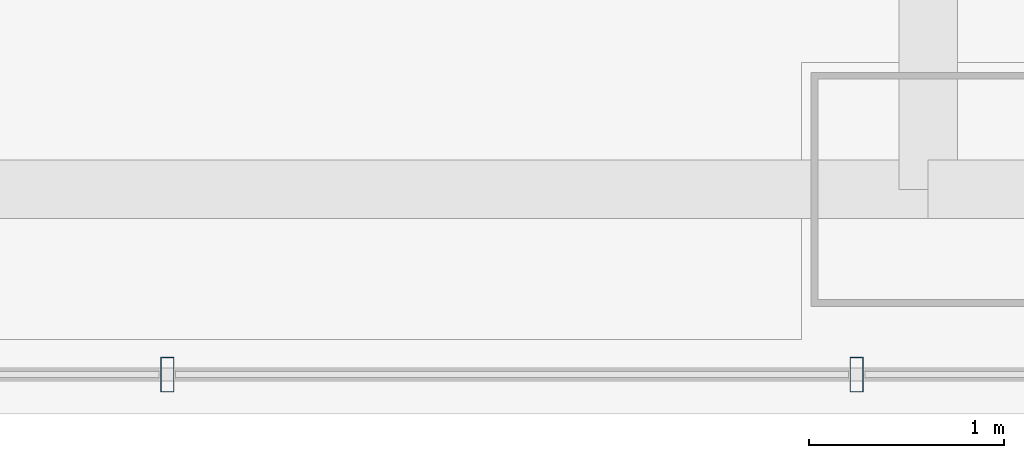
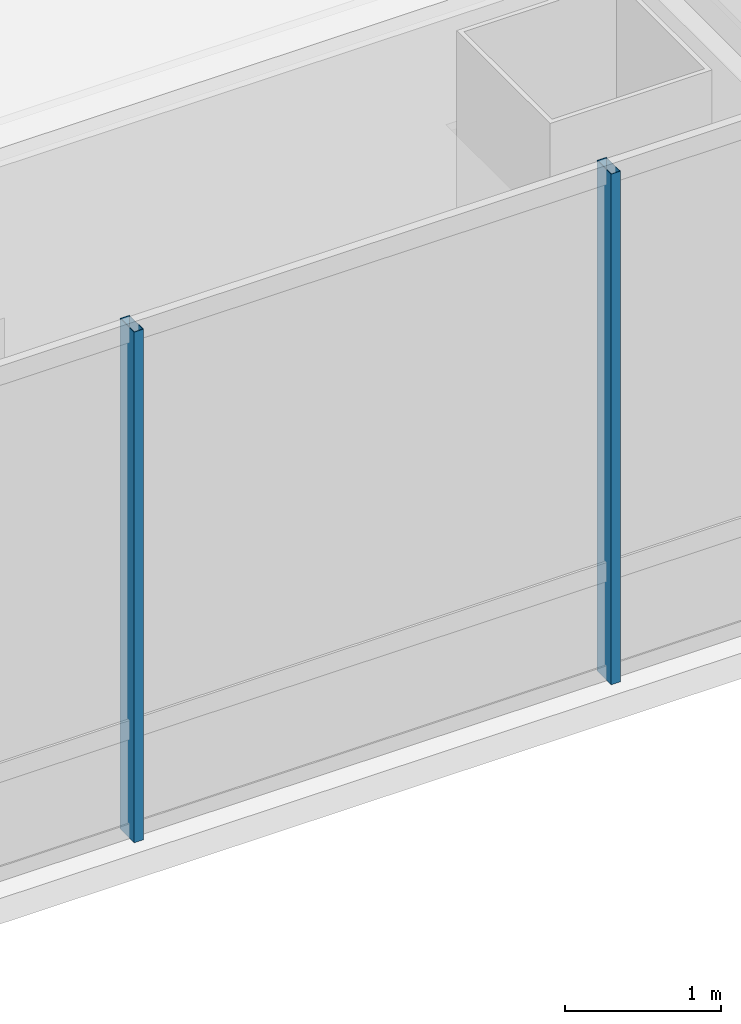
# One storey, part 7 of 41: 2 members, 1 element without a shape of its own.
"""IFC4 building model written with IfcOpenShell, lengths in metres."""

import ifcopenshell
import ifcopenshell.guid

model = None  # the IFC model being written
_history = None  # IfcOwnerHistory: only IFC2X3 demands one
_inside = {}  # id of a spatial element -> (the spatial element, [elements in it])
_under = {}  # id of a project, library or spatial element -> (it, [spatial elements below it])
_declared = {}  # id of a project -> (the project, [libraries it declares])
_typed = {}  # id of a type object -> (the type object, [elements of that type])
_made_of = {}  # id of a material, layer set ... -> (it, [elements and type objects made of it])


def new_model(schema):
    """Start an empty IFC model of exactly this schema.

    Asked for "IFC4X3", IfcOpenShell would pick the latest addendum, in which some entities
    have other attributes; the version numbers below select the first issue.
    IFC2X3 requires an IfcOwnerHistory on every rooted entity: one is made here for all.
    """
    global model, _history
    if schema == "IFC4X3":
        model = ifcopenshell.file(schema_version=(4, 3, 0, 0))
    else:
        model = ifcopenshell.file(schema=schema)
    _inside.clear()
    _under.clear()
    _declared.clear()
    _typed.clear()
    _made_of.clear()
    _history = None
    if model.schema == "IFC2X3":
        org = make("IfcOrganization", Name="unknown")
        user = make(
            "IfcPersonAndOrganization",
            ThePerson=make("IfcPerson", FamilyName="unknown"),
            TheOrganization=org,
        )
        app = make(
            "IfcApplication",
            ApplicationDeveloper=org,
            Version="unknown",
            ApplicationFullName="unknown",
            ApplicationIdentifier="unknown",
        )
        _history = make(
            "IfcOwnerHistory",
            OwningUser=user,
            OwningApplication=app,
            ChangeAction="ADDED",
            CreationDate=0,
        )
    return model


def make(cls, **values):
    """One entity of the class cls with the attributes given. An attribute that is None is left unset."""
    return model.create_entity(
        cls, **{name: value for name, value in values.items() if value is not None}
    )


def rooted(cls, **values):
    """An entity with a GlobalId (a new one), such as an element, a storey or a relation."""
    return make(cls, GlobalId=ifcopenshell.guid.new(), OwnerHistory=_history, **values)


def si_unit(unit_type, name, prefix=None):
    """IfcSIUnit, for example si_unit("LENGTHUNIT", "METRE", prefix="MILLI")."""
    return make("IfcSIUnit", UnitType=unit_type, Prefix=prefix, Name=name)


def assignment(units):
    """IfcUnitAssignment: the units of a project."""
    return None if units is None else make("IfcUnitAssignment", Units=units)


def point(xyz):
    """IfcCartesianPoint."""
    return None if xyz is None else make("IfcCartesianPoint", Coordinates=xyz)


def direction(xyz):
    """IfcDirection."""
    return None if xyz is None else make("IfcDirection", DirectionRatios=xyz)


def frame(location, z_axis=None, x_axis=None):
    """IfcAxis2Placement3D, a coordinate frame: its origin and axes. An axis left out is left unset."""
    return make(
        "IfcAxis2Placement3D",
        Location=point(location),
        Axis=direction(z_axis),
        RefDirection=direction(x_axis),
    )


def frame_2d(location, x_axis=None):
    """IfcAxis2Placement2D, a coordinate frame in the plane: its origin and x axis."""
    return make(
        "IfcAxis2Placement2D", Location=point(location), RefDirection=direction(x_axis)
    )


def origin():
    """The frame at (0, 0, 0) with its axes left unset."""
    return frame((0.0, 0.0, 0.0))


def origin_2d():
    """The frame at (0, 0) in the plane with its x axis left unset."""
    return frame_2d((0.0, 0.0))


def place(relative_to, where):
    """IfcLocalPlacement: puts the frame where relative to a parent placement (None: the world)."""
    return make(
        "IfcLocalPlacement", PlacementRelTo=relative_to, RelativePlacement=where
    )


def context(
    kind, dimensions, precision=None, world=None, true_north=None, identifier=None
):
    """IfcGeometricRepresentationContext, for example the 3D "Model" context."""
    return make(
        "IfcGeometricRepresentationContext",
        ContextIdentifier=identifier,
        ContextType=kind,
        CoordinateSpaceDimension=dimensions,
        Precision=precision,
        WorldCoordinateSystem=world,
        TrueNorth=true_north,
    )


def subcontext(parent, identifier, kind, view, scale=None):
    """IfcGeometricRepresentationSubContext, for example "Body" below "Model"."""
    return make(
        "IfcGeometricRepresentationSubContext",
        ContextIdentifier=identifier,
        ContextType=kind,
        ParentContext=parent,
        TargetScale=scale,
        TargetView=view,
    )


def project(units=None, contexts=None):
    """IfcProject with its units and contexts."""
    return rooted(
        "IfcProject",
        Name="project",
        RepresentationContexts=contexts,
        UnitsInContext=assignment(units),
    )


def spatial(cls, under=None, at=None, **own):
    """A site, building, storey or space (cls), placed at a placement, below another one or the project."""
    s = rooted(cls, ObjectPlacement=at, **own)
    if under is not None:
        _under.setdefault(under.id(), (under, []))[1].append(s)
    return s


def profile(cls, at=None, kind="AREA", **sizes):
    """A parametric profile (cls). Its sizes go by their IFC names, for example OverallWidth=200.0."""
    return make(cls, ProfileType=kind, Position=at, **sizes)


def hollow_rectangle(**sizes):
    """IfcRectangleHollowProfileDef."""
    return profile("IfcRectangleHollowProfileDef", **sizes)


def extrude(swept, where, along, depth):
    """IfcExtrudedAreaSolid: the profile swept, set in the frame where, extruded along a direction by depth."""
    return make(
        "IfcExtrudedAreaSolid",
        SweptArea=swept,
        Position=where,
        ExtrudedDirection=direction(along),
        Depth=depth,
    )


def shape(context_of_items, identifier, shape_type, items):
    """IfcShapeRepresentation: the items that make up one representation, for example the "Body"."""
    return make(
        "IfcShapeRepresentation",
        ContextOfItems=context_of_items,
        RepresentationIdentifier=identifier,
        RepresentationType=shape_type,
        Items=items,
    )


def material(Name=None, Category=None):
    """IfcMaterial."""
    return make("IfcMaterial", Name=Name, Category=Category)


def material_profile(
    of_material, cross_section, Name=None, Category=None, Priority=None
):
    """IfcMaterialProfile: a cross section and its material."""
    return make(
        "IfcMaterialProfile",
        Name=Name,
        Material=of_material,
        Profile=cross_section,
        Priority=Priority,
        Category=Category,
    )


def profile_set(profiles, Name=None, composite=None):
    """IfcMaterialProfileSet."""
    return make(
        "IfcMaterialProfileSet",
        Name=Name,
        MaterialProfiles=profiles,
        CompositeProfile=composite,
    )


def made_of(thing, what):
    """Note that an element or type object is made of a material, layer set ...; save() writes the relation."""
    if what is not None:
        _made_of.setdefault(what.id(), (what, []))[1].append(thing)
    return thing


def type_object(cls, material=None, **own):
    """A type object (cls), such as IfcWallType, which elements share."""
    return made_of(rooted(cls, **own), material)


def element(
    cls,
    number,
    at=None,
    inside=None,
    cuts=None,
    type_object=None,
    material=None,
    context=None,
    identifier="Body",
    shape_type=None,
    held_by="IfcProductDefinitionShape",
    body=None,
    shapes=None,
    **own,
):
    """One element of the class cls, such as IfcWall. Its Tag is "e" and its number.

    at: its placement. inside: the storey or other place that contains it. cuts: it is an
    opening in that element (IfcRelVoidsElement). A single representation is given by context,
    identifier, shape_type and body (its items); several are given by shapes. held_by: the class
    of the entity that holds the representations. save() writes the other relations.
    """
    e = rooted(cls, Tag="e%d" % number, ObjectPlacement=at, **own)
    if body is not None:
        shapes = [shape(context, identifier, shape_type, body)]
    if shapes is not None:
        e.Representation = make(held_by, Representations=shapes)
    if inside is not None:
        _inside.setdefault(inside.id(), (inside, []))[1].append(e)
    if cuts is not None:
        rooted(
            "IfcRelVoidsElement", RelatingBuildingElement=cuts, RelatedOpeningElement=e
        )
    if type_object is not None:
        _typed.setdefault(type_object.id(), (type_object, []))[1].append(e)
    return made_of(e, material)


def aggregate(whole, parts):
    """IfcRelAggregates: a whole, such as a stair, and the parts it consists of."""
    return rooted("IfcRelAggregates", RelatingObject=whole, RelatedObjects=parts)


def save(model, path):
    """Write the relations noted so far, then the file.

    IfcRelAggregates (storeys below a building ...), IfcRelContainedInSpatialStructure (elements
    in a storey), IfcRelDefinesByType, IfcRelAssociatesMaterial and IfcRelDeclares: one each for
    every whole, place, type object, material and project.
    """
    for whole, parts in _under.values():
        aggregate(whole, parts)
    for where, things in _inside.values():
        rooted(
            "IfcRelContainedInSpatialStructure",
            RelatedElements=things,
            RelatingStructure=where,
        )
    for kind, things in _typed.values():
        rooted("IfcRelDefinesByType", RelatedObjects=things, RelatingType=kind)
    for what, things in _made_of.values():
        rooted("IfcRelAssociatesMaterial", RelatedObjects=things, RelatingMaterial=what)
    for by, libraries in _declared.values():
        rooted("IfcRelDeclares", RelatingContext=by, RelatedDefinitions=libraries)
    model.write(path)


model = new_model("IFC4")

# Units and contexts
model_context = context("Model", 3, precision=1e-05, world=origin(), true_north=direction((0.0, 1.0)))
body_context = subcontext(model_context, "Body", "Model", "MODEL_VIEW")
ifc_project = project(units=[si_unit("LENGTHUNIT", "METRE"), si_unit("AREAUNIT", "SQUARE_METRE"), si_unit("VOLUMEUNIT", "CUBIC_METRE"), si_unit("PLANEANGLEUNIT", "RADIAN"), si_unit("MASSUNIT", "GRAM", prefix="KILO")], contexts=[model_context])

# Site, building, storey
site_placement = place(None, origin())
site = spatial("IfcSite", under=ifc_project, at=site_placement, CompositionType="ELEMENT")
building_placement = place(site_placement, origin())
building = spatial("IfcBuilding", under=site, at=building_placement, Name="Punatoya Terracotta Tower", CompositionType="ELEMENT")
storey_placement = place(building_placement, frame((0.0, 0.0, 309.0)))
storey = spatial("IfcBuildingStorey", under=building, at=storey_placement, Name="L73", CompositionType="ELEMENT", Elevation=309.0)

# Curtain wall, members
ifc_material_1 = material(Name="Aluminium 6063-T6 + Double Low-E Glass", Category="aluminium")
curtain_wall_type = type_object("IfcCurtainWallType", Name="CW-M3", PredefinedType="NOTDEFINED", material=ifc_material_1)
curtain_wall_placement = place(storey_placement, origin())
curtain_wall = element("IfcCurtainWall", 1, at=curtain_wall_placement, inside=storey, type_object=curtain_wall_type, Name="L73 Curtain Wall CW-L73-S01-1", PredefinedType="NOTDEFINED")
ifc_material_2 = material(Name="Aluminium 6063-T6", Category="aluminium")
ifc_material_profile = material_profile(ifc_material_2, hollow_rectangle(XDim=0.070068359375, YDim=0.179931640625, WallThickness=0.00390625, at=origin_2d()))
ifc_profile_set = profile_set([ifc_material_profile], Name="Aluminium 6063-T6")
member_type = type_object("IfcMemberType", Name="CW-MUL-M3", PredefinedType="MULLION", material=ifc_profile_set)
member_1_placement = place(storey_placement, frame((-7.700927734375, -18.449951171875, 0.0), z_axis=(0.0, 0.0, 1.0), x_axis=(1.0, 0.0, 0.0)))
member_1 = element("IfcMember", 2, at=member_1_placement, type_object=member_type, Name="CW-L73-S01-1 Mullion 04", PredefinedType="MULLION", context=body_context, shape_type="SweptSolid", body=[
    extrude(hollow_rectangle(XDim=0.070068359375, YDim=0.179931640625, WallThickness=0.00390625, at=origin_2d()), origin(), (0.0, 0.0, 1.0), 4.0),
])
member_2_placement = place(storey_placement, frame((-4.1669921875, -18.449951171875, 0.0), z_axis=(0.0, 0.0, 1.0), x_axis=(1.0, 0.0, 0.0)))
member_2 = element("IfcMember", 3, at=member_2_placement, type_object=member_type, Name="CW-L73-S01-1 Mullion 05", PredefinedType="MULLION", context=body_context, shape_type="SweptSolid", body=[
    extrude(hollow_rectangle(XDim=0.070068359375, YDim=0.179931640625, WallThickness=0.00390625, at=origin_2d()), origin(), (0.0, 0.0, 1.0), 4.0),
])
aggregate(curtain_wall, [member_1, member_2])

save(model, "model.ifc")
